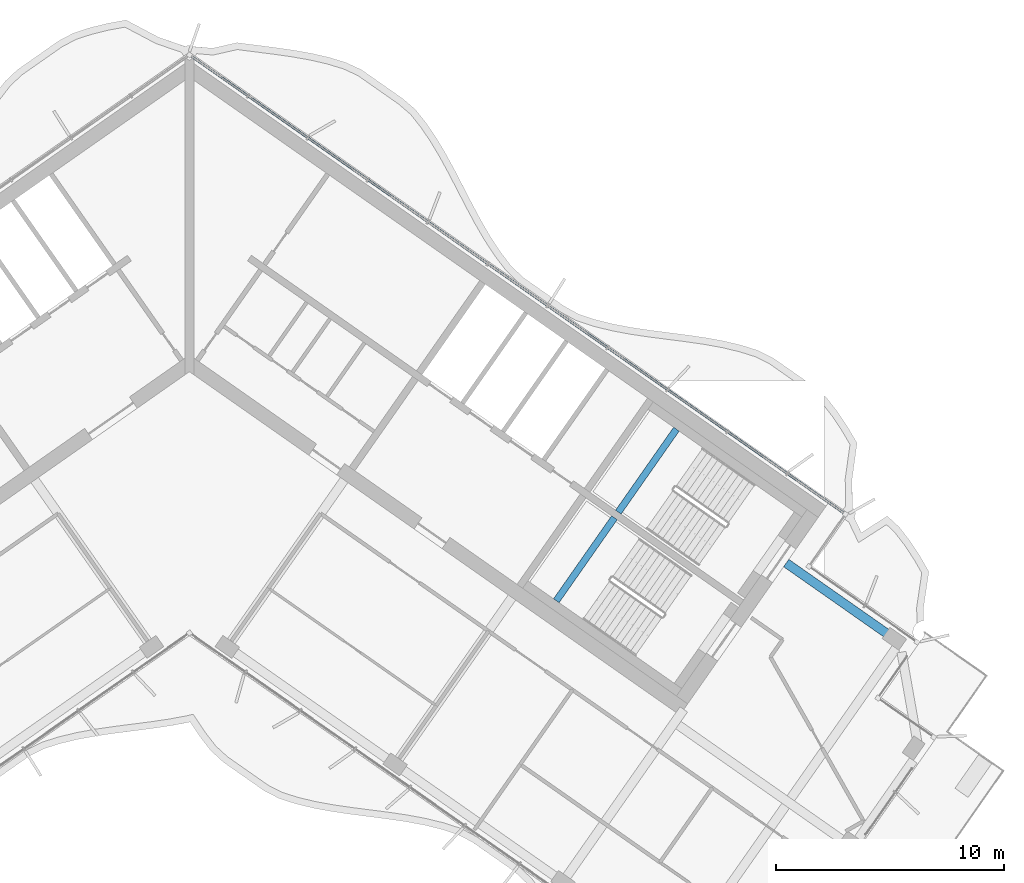
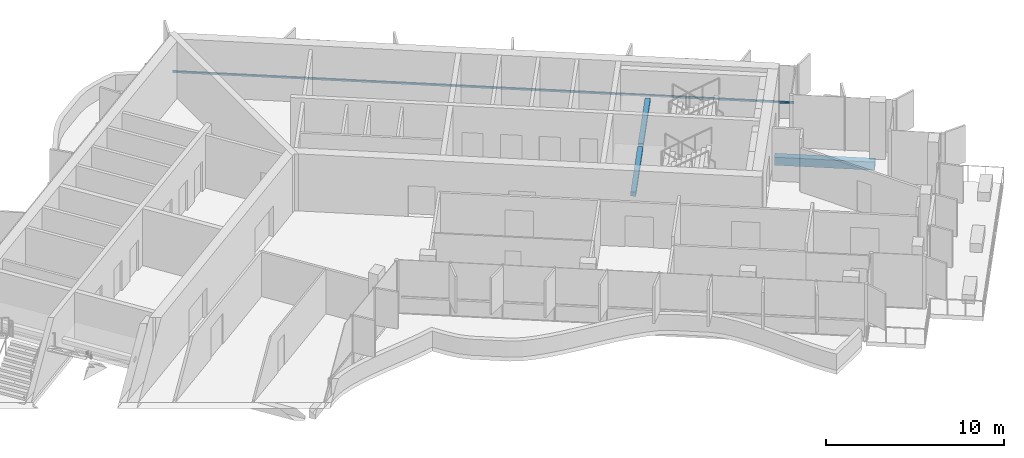
# One storey, part 5 of 21: 3 beams, 1 member, 1 element without a shape of its own.
"""IFC4 building model written with IfcOpenShell, lengths in metres."""

from ifc_helpers import new_model, si_unit, direction, frame, origin, origin_2d, place, context, subcontext, project, spatial, rectangle, extrude, material, material_profile, profile_set, type_object, element, aggregate, save


model = new_model("IFC4")

# Units and contexts
model_context = context("Model", 3, precision=1e-05, world=origin(), true_north=direction((0.0, 1.0)))
body_context = subcontext(model_context, "Body", "Model", "MODEL_VIEW")
ifc_project = project(units=[si_unit("LENGTHUNIT", "METRE"), si_unit("AREAUNIT", "SQUARE_METRE"), si_unit("VOLUMEUNIT", "CUBIC_METRE"), si_unit("PLANEANGLEUNIT", "RADIAN"), si_unit("MASSUNIT", "GRAM", prefix="KILO")], contexts=[model_context])

# Site, building, storey
site_placement = place(None, origin())
site = spatial("IfcSite", under=ifc_project, at=site_placement, CompositionType="ELEMENT")
building_placement = place(site_placement, origin())
building = spatial("IfcBuilding", under=site, at=building_placement, Name="Tel Ilan Convention Tower", CompositionType="ELEMENT")
storey_placement = place(building_placement, frame((0.0, 0.0, 225.39990234375)))
storey = spatial("IfcBuildingStorey", under=building, at=storey_placement, Name="L52", CompositionType="ELEMENT", Elevation=225.39990234375)

# Beam
ifc_material_1 = material(Name="Concrete C40/50", Category="concrete")
ifc_material_profile_1 = material_profile(ifc_material_1, rectangle(XDim=0.39990234375, YDim=0.550048828125, at=origin_2d()), Name="RC 400x550")
ifc_profile_set_1 = profile_set([ifc_material_profile_1], Name="Concrete C40/50")
beam_type_1 = type_object("IfcBeamType", Name="Beam RC 400x550 Concrete C40/50", PredefinedType="BEAM", material=ifc_profile_set_1)
beam_1_placement = place(storey_placement, frame((30.841552734375, -12.866943359375, -0.554931640625), z_axis=(-0.819148592279, 0.5735813663, 0.0), x_axis=(-0.5735813663, -0.819148592279, 0.0)))
element("IfcBeam", 1, at=beam_1_placement, inside=storey, type_object=beam_type_1, Name="L52 beam E-E-BC-core", PredefinedType="BEAM", context=body_context, shape_type="SweptSolid", body=[
    extrude(rectangle(XDim=0.39990234375, YDim=0.550048828125, at=origin_2d()), origin(), (0.0, 0.0, 1.0), 5.64404296875),
])

# Curtain wall, member
ifc_material_2 = material(Name="Aluminium, bronze anodised", Category="aluminium")
curtain_wall_type = type_object("IfcCurtainWallType", Name="CW2 STICK CURTAIN WALL, SPANDREL PANELS", PredefinedType="NOTDEFINED", material=ifc_material_2)
curtain_wall_placement = place(storey_placement, origin())
curtain_wall = element("IfcCurtainWall", 2, at=curtain_wall_placement, inside=storey, type_object=curtain_wall_type, Name="Curtain wall CW2-41.03", PredefinedType="NOTDEFINED")
ifc_material_3 = material(Name="Aluminium, bronze anodised", Category="aluminium")
ifc_material_profile_2 = material_profile(ifc_material_3, rectangle(XDim=0.10009765625, YDim=0.1201171875, at=origin_2d()), Name="CW TRANSOM 100x120")
ifc_profile_set_2 = profile_set([ifc_material_profile_2], Name="Aluminium, bronze anodised")
member_type = type_object("IfcMemberType", Name="CW TRANSOM 100x120", PredefinedType="USERDEFINED", material=ifc_profile_set_2)
member_placement = place(storey_placement, frame((28.737548828125, -7.42626953125, 1.10009765625), z_axis=(-0.819150201937, 0.573579067494, 0.0), x_axis=(-0.573579067494, -0.819150201937, 0.0)))
member = element("IfcMember", 3, at=member_placement, type_object=member_type, Name="Transom", ObjectType="TRANSOM", PredefinedType="USERDEFINED", context=body_context, shape_type="SweptSolid", body=[
    extrude(rectangle(XDim=0.10009765625, YDim=0.1201171875, at=origin_2d()), origin(), (0.0, 0.0, 1.0), 34.9521484375),
])
aggregate(curtain_wall, [member])

# Beams
ifc_material_4 = material(Name="Concrete C40/50", Category="concrete")
ifc_material_profile_3 = material_profile(ifc_material_4, rectangle(XDim=0.300048828125, YDim=0.300048828125, at=origin_2d()), Name="RC 300x300")
ifc_profile_set_3 = profile_set([ifc_material_profile_3], Name="Concrete C40/50")
beam_type_2 = type_object("IfcBeamType", Name="Landing Beam RC 300x300 Concrete C40/50", PredefinedType="BEAM", material=ifc_profile_set_3)
beam_2_placement = place(storey_placement, frame((21.39404296875, -3.7490234375, 1.60009765625), z_axis=(-0.573547030514, -0.819172633691, 0.0), x_axis=(0.819172633691, -0.573547030514, 0.0)))
element("IfcBeam", 4, at=beam_2_placement, inside=storey, type_object=beam_type_2, Name="S3 landing beam L52.1", PredefinedType="BEAM", context=body_context, shape_type="SweptSolid", body=[
    extrude(rectangle(XDim=0.300048828125, YDim=0.300048828125, at=origin_2d()), origin(), (0.0, 0.0, 1.0), 4.449951171875),
])
beam_3_placement = place(storey_placement, frame((18.669677734375, -7.64013671875, 1.60009765625), z_axis=(-0.573583844845, -0.819146856756, 0.0), x_axis=(0.819146856756, -0.573583844845, 0.0)))
element("IfcBeam", 5, at=beam_3_placement, inside=storey, type_object=beam_type_2, Name="S4 landing beam L52.1", PredefinedType="BEAM", context=body_context, shape_type="SweptSolid", body=[
    extrude(rectangle(XDim=0.300048828125, YDim=0.300048828125, at=origin_2d()), origin(), (0.0, 0.0, 1.0), 4.4501953125),
])

save(model, "model.ifc")
